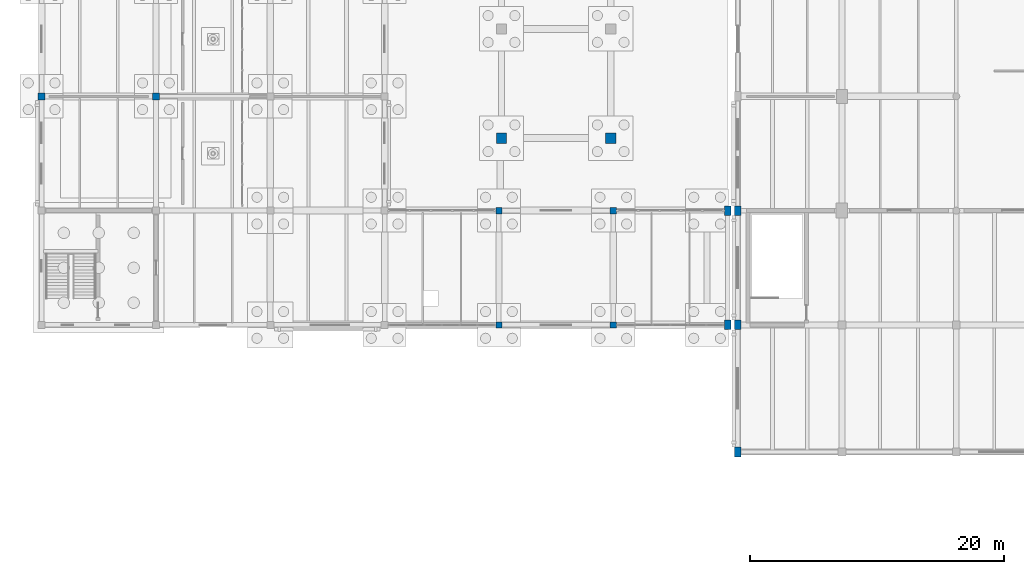
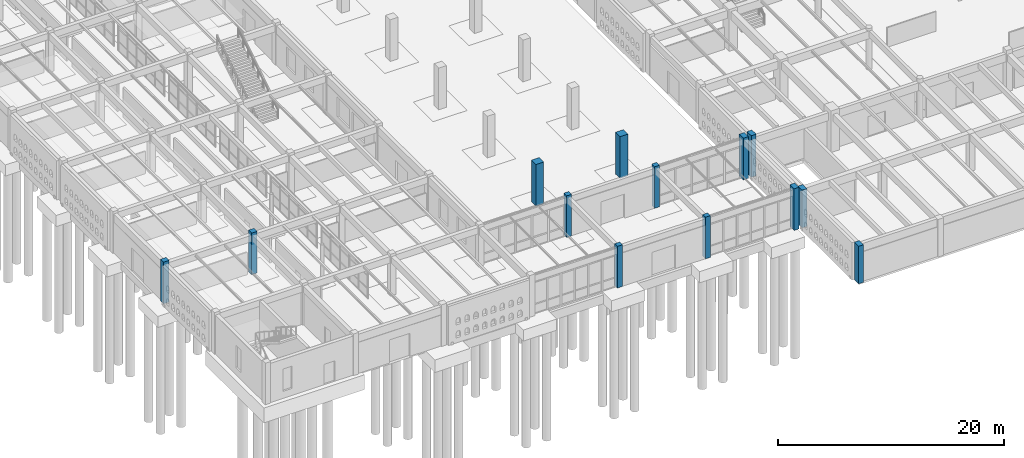
# One storey, part 8 of 186: 13 columns.
"""IFC4 building model written with IfcOpenShell, lengths in metres."""

from ifc_helpers import new_model, si_unit, direction, frame, origin, origin_2d, place, context, subcontext, project, spatial, rectangle, extrude, material, material_profile, profile_set, type_object, element, save


model = new_model("IFC4")

# Units and contexts
model_context = context("Model", 3, precision=1e-05, world=origin(), true_north=direction((0.0, 1.0)))
body_context = subcontext(model_context, "Body", "Model", "MODEL_VIEW")
ifc_project = project(units=[si_unit("LENGTHUNIT", "METRE"), si_unit("AREAUNIT", "SQUARE_METRE"), si_unit("VOLUMEUNIT", "CUBIC_METRE"), si_unit("PLANEANGLEUNIT", "RADIAN"), si_unit("MASSUNIT", "GRAM", prefix="KILO")], contexts=[model_context])

# Site, building, storey
site_placement = place(None, origin())
site = spatial("IfcSite", under=ifc_project, at=site_placement, CompositionType="ELEMENT")
building_placement = place(site_placement, origin())
building = spatial("IfcBuilding", under=site, at=building_placement, Name="Ornek Quay Market", CompositionType="ELEMENT")
storey_placement = place(building_placement, origin())
storey = spatial("IfcBuildingStorey", under=building, at=storey_placement, Name="L00", CompositionType="ELEMENT", Elevation=0.0)

# Columns
ifc_material = material(Name="Concrete C40/50", Category="concrete")
ifc_material_profile_1 = material_profile(ifc_material, rectangle(XDim=0.5, YDim=0.75, at=origin_2d()), Name="RC 500x750", Category="concrete")
ifc_profile_set_1 = profile_set([ifc_material_profile_1], Name="Concrete C40/50")
column_type_1 = type_object("IfcColumnType", Name="COL-MJ-500x750", PredefinedType="COLUMN", material=ifc_profile_set_1)
for number, where, z_axis, x_axis, name in (
    (1, (54.0, 20.0, 0.0), (0.0, 0.0, 1.0), (1.0, 0.0, 0.0), "Column C-MJ1-001"),
    (2, (54.0, 29.0, 0.0), (0.0, 0.0, 1.0), (1.0, 0.0, 0.0), "Column C-MJ1-002"),
):
    element("IfcColumn", number, at=place(storey_placement, frame(where, z_axis=z_axis, x_axis=x_axis)), inside=storey, type_object=column_type_1, Name=name, PredefinedType="COLUMN", context=body_context, shape_type="SweptSolid", body=[
        extrude(rectangle(XDim=0.5, YDim=0.75, at=origin_2d()), origin(), (0.0, 0.0, 1.0), 4.5),
    ])
for number, where, z_axis, x_axis, name in (
    (3, (54.800048828125, 10.0, 0.0), (0.0, 0.0, 1.0), (1.0, 0.0, 0.0), "Column C-MJ1-007"),
    (4, (54.800048828125, 20.0, 0.0), (0.0, 0.0, 1.0), (1.0, 0.0, 0.0), "Column C-MJ1-009"),
):
    element("IfcColumn", number, at=place(storey_placement, frame(where, z_axis=z_axis, x_axis=x_axis)), inside=storey, type_object=column_type_1, Name=name, PredefinedType="COLUMN", context=body_context, shape_type="SweptSolid", body=[
        extrude(rectangle(XDim=0.5, YDim=0.75, at=origin_2d()), origin(), (0.0, 0.0, 1.0), 4.06005859375),
    ])
column_placement = place(storey_placement, frame((54.800048828125, 29.0, 0.0), z_axis=(0.0, 0.0, 1.0), x_axis=(1.0, 0.0, 0.0)))
element("IfcColumn", 5, at=column_placement, inside=storey, type_object=column_type_1, Name="Column C-MJ1-011", PredefinedType="COLUMN", context=body_context, shape_type="SweptSolid", body=[
    extrude(rectangle(XDim=0.5, YDim=0.75, at=origin_2d()), origin(), (0.0, 0.0, 1.0), 4.5),
])
ifc_material_profile_2 = material_profile(ifc_material, rectangle(XDim=0.5, YDim=0.5, at=origin_2d()), Name="RC 500x500", Category="concrete")
ifc_profile_set_2 = profile_set([ifc_material_profile_2], Name="Concrete C40/50")
column_type_2 = type_object("IfcColumnType", Name="COL-RC-500x500", PredefinedType="COLUMN", material=ifc_profile_set_2)
for number, where, z_axis, x_axis, name in (
    (6, (36.0, 20.0, 0.0), (0.0, 0.0, 1.0), (1.0, 0.0, 0.0), "Column C-50-045"),
    (7, (36.0, 29.0, 0.0), (0.0, 0.0, 1.0), (1.0, 0.0, 0.0), "Column C-50-046"),
    (8, (45.0, 20.0, 0.0), (0.0, 0.0, 1.0), (1.0, 0.0, 0.0), "Column C-50-048"),
    (9, (45.0, 29.0, 0.0), (0.0, 0.0, 1.0), (1.0, 0.0, 0.0), "Column C-50-049"),
):
    element("IfcColumn", number, at=place(storey_placement, frame(where, z_axis=z_axis, x_axis=x_axis)), inside=storey, type_object=column_type_2, Name=name, PredefinedType="COLUMN", context=body_context, shape_type="SweptSolid", body=[
        extrude(rectangle(XDim=0.5, YDim=0.5, at=origin_2d()), origin(), (0.0, 0.0, 1.0), 4.5),
    ])
ifc_material_profile_3 = material_profile(ifc_material, rectangle(XDim=0.550048828125, YDim=0.550048828125, at=origin_2d()), Name="RC 550x550", Category="concrete")
ifc_profile_set_3 = profile_set([ifc_material_profile_3], Name="Concrete C40/50")
column_type_3 = type_object("IfcColumnType", Name="COL-RC-550x550", PredefinedType="COLUMN", material=ifc_profile_set_3)
for number, where, z_axis, x_axis, name in (
    (10, (0.0, 38.0, 0.0), (0.0, 0.0, 1.0), (1.0, 0.0, 0.0), "Column C-55-003"),
    (11, (9.0, 38.0, 0.0), (0.0, 0.0, 1.0), (1.0, 0.0, 0.0), "Column C-55-014"),
):
    element("IfcColumn", number, at=place(storey_placement, frame(where, z_axis=z_axis, x_axis=x_axis)), inside=storey, type_object=column_type_3, Name=name, PredefinedType="COLUMN", context=body_context, shape_type="SweptSolid", body=[
        extrude(rectangle(XDim=0.550048828125, YDim=0.550048828125, at=origin_2d()), origin(), (0.0, 0.0, 1.0), 4.5),
    ])
ifc_material_profile_4 = material_profile(ifc_material, rectangle(XDim=0.800048828125, YDim=0.800048828125, at=origin_2d()), Name="RC 800x800", Category="concrete")
ifc_profile_set_4 = profile_set([ifc_material_profile_4], Name="Concrete C40/50")
column_type_4 = type_object("IfcColumnType", Name="COL-UMB-800x800", PredefinedType="COLUMN", material=ifc_profile_set_4)
for number, where, z_axis, x_axis, name in (
    (12, (36.199951171875, 34.699951171875, 0.0), (0.0, 0.0, 1.0), (1.0, 0.0, 0.0), "Umbrella column UMB-W01 (L00)"),
    (13, (44.800048828125, 34.699951171875, 0.0), (0.0, 0.0, 1.0), (1.0, 0.0, 0.0), "Umbrella column UMB-W08 (L00)"),
):
    element("IfcColumn", number, at=place(storey_placement, frame(where, z_axis=z_axis, x_axis=x_axis)), inside=storey, type_object=column_type_4, Name=name, PredefinedType="COLUMN", context=body_context, shape_type="SweptSolid", body=[
        extrude(rectangle(XDim=0.800048828125, YDim=0.800048828125, at=origin_2d()), origin(), (0.0, 0.0, 1.0), 4.5),
    ])

save(model, "model.ifc")
